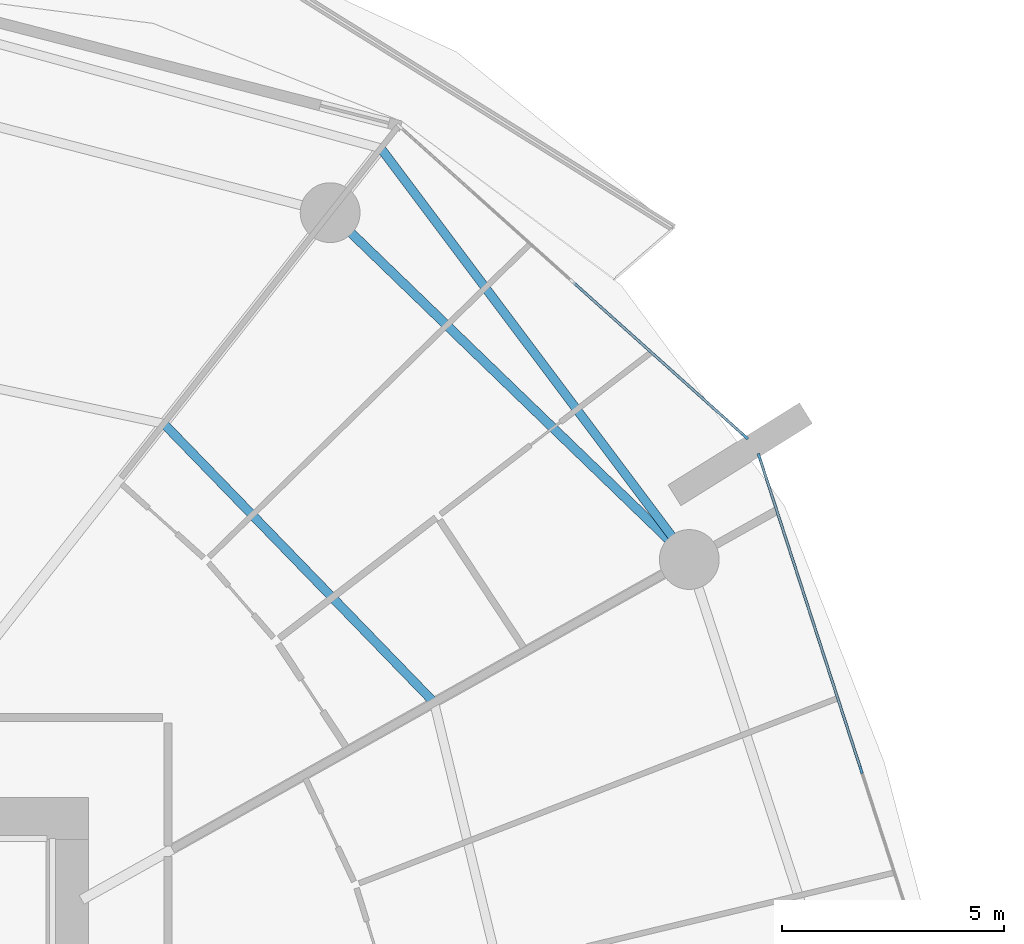
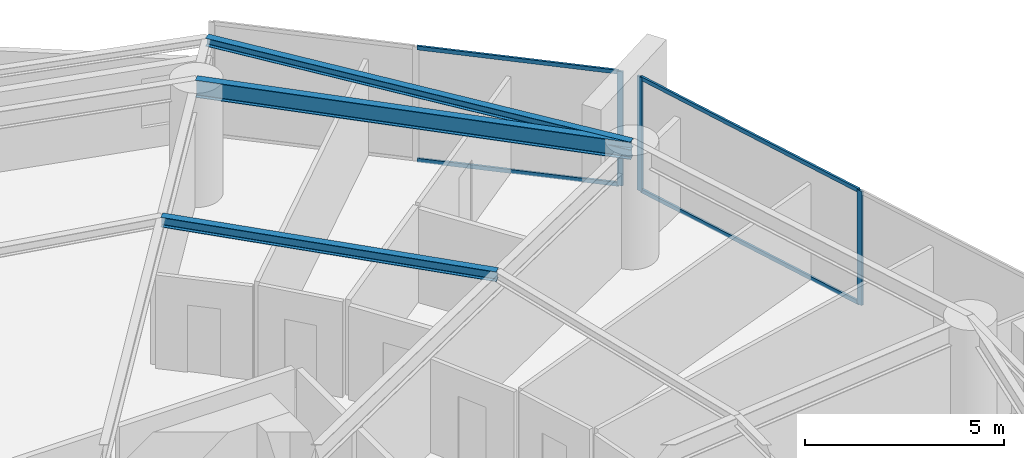
# One storey, part 15 of 32: 7 members, 3 beams, 2 elements without a shape of their own.
"""IFC4 building model written with IfcOpenShell, lengths in metres."""

import ifcopenshell
import ifcopenshell.guid

model = None  # the IFC model being written
_history = None  # IfcOwnerHistory: only IFC2X3 demands one
_inside = {}  # id of a spatial element -> (the spatial element, [elements in it])
_under = {}  # id of a project, library or spatial element -> (it, [spatial elements below it])
_declared = {}  # id of a project -> (the project, [libraries it declares])
_typed = {}  # id of a type object -> (the type object, [elements of that type])
_made_of = {}  # id of a material, layer set ... -> (it, [elements and type objects made of it])


def new_model(schema):
    """Start an empty IFC model of exactly this schema.

    Asked for "IFC4X3", IfcOpenShell would pick the latest addendum, in which some entities
    have other attributes; the version numbers below select the first issue.
    IFC2X3 requires an IfcOwnerHistory on every rooted entity: one is made here for all.
    """
    global model, _history
    if schema == "IFC4X3":
        model = ifcopenshell.file(schema_version=(4, 3, 0, 0))
    else:
        model = ifcopenshell.file(schema=schema)
    _inside.clear()
    _under.clear()
    _declared.clear()
    _typed.clear()
    _made_of.clear()
    _history = None
    if model.schema == "IFC2X3":
        org = make("IfcOrganization", Name="unknown")
        user = make(
            "IfcPersonAndOrganization",
            ThePerson=make("IfcPerson", FamilyName="unknown"),
            TheOrganization=org,
        )
        app = make(
            "IfcApplication",
            ApplicationDeveloper=org,
            Version="unknown",
            ApplicationFullName="unknown",
            ApplicationIdentifier="unknown",
        )
        _history = make(
            "IfcOwnerHistory",
            OwningUser=user,
            OwningApplication=app,
            ChangeAction="ADDED",
            CreationDate=0,
        )
    return model


def make(cls, **values):
    """One entity of the class cls with the attributes given. An attribute that is None is left unset."""
    return model.create_entity(
        cls, **{name: value for name, value in values.items() if value is not None}
    )


def rooted(cls, **values):
    """An entity with a GlobalId (a new one), such as an element, a storey or a relation."""
    return make(cls, GlobalId=ifcopenshell.guid.new(), OwnerHistory=_history, **values)


def si_unit(unit_type, name, prefix=None):
    """IfcSIUnit, for example si_unit("LENGTHUNIT", "METRE", prefix="MILLI")."""
    return make("IfcSIUnit", UnitType=unit_type, Prefix=prefix, Name=name)


def assignment(units):
    """IfcUnitAssignment: the units of a project."""
    return None if units is None else make("IfcUnitAssignment", Units=units)


def point(xyz):
    """IfcCartesianPoint."""
    return None if xyz is None else make("IfcCartesianPoint", Coordinates=xyz)


def direction(xyz):
    """IfcDirection."""
    return None if xyz is None else make("IfcDirection", DirectionRatios=xyz)


def frame(location, z_axis=None, x_axis=None):
    """IfcAxis2Placement3D, a coordinate frame: its origin and axes. An axis left out is left unset."""
    return make(
        "IfcAxis2Placement3D",
        Location=point(location),
        Axis=direction(z_axis),
        RefDirection=direction(x_axis),
    )


def frame_2d(location, x_axis=None):
    """IfcAxis2Placement2D, a coordinate frame in the plane: its origin and x axis."""
    return make(
        "IfcAxis2Placement2D", Location=point(location), RefDirection=direction(x_axis)
    )


def origin():
    """The frame at (0, 0, 0) with its axes left unset."""
    return frame((0.0, 0.0, 0.0))


def origin_2d():
    """The frame at (0, 0) in the plane with its x axis left unset."""
    return frame_2d((0.0, 0.0))


def place(relative_to, where):
    """IfcLocalPlacement: puts the frame where relative to a parent placement (None: the world)."""
    return make(
        "IfcLocalPlacement", PlacementRelTo=relative_to, RelativePlacement=where
    )


def context(
    kind, dimensions, precision=None, world=None, true_north=None, identifier=None
):
    """IfcGeometricRepresentationContext, for example the 3D "Model" context."""
    return make(
        "IfcGeometricRepresentationContext",
        ContextIdentifier=identifier,
        ContextType=kind,
        CoordinateSpaceDimension=dimensions,
        Precision=precision,
        WorldCoordinateSystem=world,
        TrueNorth=true_north,
    )


def subcontext(parent, identifier, kind, view, scale=None):
    """IfcGeometricRepresentationSubContext, for example "Body" below "Model"."""
    return make(
        "IfcGeometricRepresentationSubContext",
        ContextIdentifier=identifier,
        ContextType=kind,
        ParentContext=parent,
        TargetScale=scale,
        TargetView=view,
    )


def project(units=None, contexts=None):
    """IfcProject with its units and contexts."""
    return rooted(
        "IfcProject",
        Name="project",
        RepresentationContexts=contexts,
        UnitsInContext=assignment(units),
    )


def spatial(cls, under=None, at=None, **own):
    """A site, building, storey or space (cls), placed at a placement, below another one or the project."""
    s = rooted(cls, ObjectPlacement=at, **own)
    if under is not None:
        _under.setdefault(under.id(), (under, []))[1].append(s)
    return s


def profile(cls, at=None, kind="AREA", **sizes):
    """A parametric profile (cls). Its sizes go by their IFC names, for example OverallWidth=200.0."""
    return make(cls, ProfileType=kind, Position=at, **sizes)


def rectangle(**sizes):
    """IfcRectangleProfileDef."""
    return profile("IfcRectangleProfileDef", **sizes)


def i_section(**sizes):
    """IfcIShapeProfileDef."""
    return profile("IfcIShapeProfileDef", **sizes)


def extrude(swept, where, along, depth):
    """IfcExtrudedAreaSolid: the profile swept, set in the frame where, extruded along a direction by depth."""
    return make(
        "IfcExtrudedAreaSolid",
        SweptArea=swept,
        Position=where,
        ExtrudedDirection=direction(along),
        Depth=depth,
    )


def shape(context_of_items, identifier, shape_type, items):
    """IfcShapeRepresentation: the items that make up one representation, for example the "Body"."""
    return make(
        "IfcShapeRepresentation",
        ContextOfItems=context_of_items,
        RepresentationIdentifier=identifier,
        RepresentationType=shape_type,
        Items=items,
    )


def material(Name=None, Category=None):
    """IfcMaterial."""
    return make("IfcMaterial", Name=Name, Category=Category)


def layer(
    of_material, thickness, ventilated=None, Name=None, Category=None, Priority=None
):
    """IfcMaterialLayer: one layer of a wall or slab, of a material (None: an air gap)."""
    return make(
        "IfcMaterialLayer",
        Material=of_material,
        LayerThickness=thickness,
        IsVentilated=ventilated,
        Name=Name,
        Category=Category,
        Priority=Priority,
    )


def layer_set(layers, Name=None):
    """IfcMaterialLayerSet."""
    return make("IfcMaterialLayerSet", MaterialLayers=layers, LayerSetName=Name)


def material_profile(
    of_material, cross_section, Name=None, Category=None, Priority=None
):
    """IfcMaterialProfile: a cross section and its material."""
    return make(
        "IfcMaterialProfile",
        Name=Name,
        Material=of_material,
        Profile=cross_section,
        Priority=Priority,
        Category=Category,
    )


def profile_set(profiles, Name=None, composite=None):
    """IfcMaterialProfileSet."""
    return make(
        "IfcMaterialProfileSet",
        Name=Name,
        MaterialProfiles=profiles,
        CompositeProfile=composite,
    )


def made_of(thing, what):
    """Note that an element or type object is made of a material, layer set ...; save() writes the relation."""
    if what is not None:
        _made_of.setdefault(what.id(), (what, []))[1].append(thing)
    return thing


def type_object(cls, material=None, **own):
    """A type object (cls), such as IfcWallType, which elements share."""
    return made_of(rooted(cls, **own), material)


def element(
    cls,
    number,
    at=None,
    inside=None,
    cuts=None,
    type_object=None,
    material=None,
    context=None,
    identifier="Body",
    shape_type=None,
    held_by="IfcProductDefinitionShape",
    body=None,
    shapes=None,
    **own,
):
    """One element of the class cls, such as IfcWall. Its Tag is "e" and its number.

    at: its placement. inside: the storey or other place that contains it. cuts: it is an
    opening in that element (IfcRelVoidsElement). A single representation is given by context,
    identifier, shape_type and body (its items); several are given by shapes. held_by: the class
    of the entity that holds the representations. save() writes the other relations.
    """
    e = rooted(cls, Tag="e%d" % number, ObjectPlacement=at, **own)
    if body is not None:
        shapes = [shape(context, identifier, shape_type, body)]
    if shapes is not None:
        e.Representation = make(held_by, Representations=shapes)
    if inside is not None:
        _inside.setdefault(inside.id(), (inside, []))[1].append(e)
    if cuts is not None:
        rooted(
            "IfcRelVoidsElement", RelatingBuildingElement=cuts, RelatedOpeningElement=e
        )
    if type_object is not None:
        _typed.setdefault(type_object.id(), (type_object, []))[1].append(e)
    return made_of(e, material)


def aggregate(whole, parts):
    """IfcRelAggregates: a whole, such as a stair, and the parts it consists of."""
    return rooted("IfcRelAggregates", RelatingObject=whole, RelatedObjects=parts)


def save(model, path):
    """Write the relations noted so far, then the file.

    IfcRelAggregates (storeys below a building ...), IfcRelContainedInSpatialStructure (elements
    in a storey), IfcRelDefinesByType, IfcRelAssociatesMaterial and IfcRelDeclares: one each for
    every whole, place, type object, material and project.
    """
    for whole, parts in _under.values():
        aggregate(whole, parts)
    for where, things in _inside.values():
        rooted(
            "IfcRelContainedInSpatialStructure",
            RelatedElements=things,
            RelatingStructure=where,
        )
    for kind, things in _typed.values():
        rooted("IfcRelDefinesByType", RelatedObjects=things, RelatingType=kind)
    for what, things in _made_of.values():
        rooted("IfcRelAssociatesMaterial", RelatedObjects=things, RelatingMaterial=what)
    for by, libraries in _declared.values():
        rooted("IfcRelDeclares", RelatingContext=by, RelatedDefinitions=libraries)
    model.write(path)


model = new_model("IFC4")

# Units and contexts
model_context = context("Model", 3, precision=1e-05, world=origin(), true_north=direction((0.0, 1.0)))
body_context = subcontext(model_context, "Body", "Model", "MODEL_VIEW")
ifc_project = project(units=[si_unit("LENGTHUNIT", "METRE"), si_unit("AREAUNIT", "SQUARE_METRE"), si_unit("VOLUMEUNIT", "CUBIC_METRE"), si_unit("PLANEANGLEUNIT", "RADIAN"), si_unit("MASSUNIT", "GRAM", prefix="KILO")], contexts=[model_context])

# Site, building, storey
site_placement = place(None, origin())
site = spatial("IfcSite", under=ifc_project, at=site_placement, CompositionType="ELEMENT")
building_placement = place(site_placement, origin())
building = spatial("IfcBuilding", under=site, at=building_placement, Name="Kazma Halo Residences", CompositionType="ELEMENT")
storey_placement = place(building_placement, frame((0.0, 0.0, 63.89990234375)))
storey = spatial("IfcBuildingStorey", under=building, at=storey_placement, Name="L15", CompositionType="ELEMENT", Elevation=63.89990234375)

# Beams
ifc_material_1 = material(Name="Steel S355", Category="steel")
ifc_material_profile_1 = material_profile(ifc_material_1, i_section(OverallWidth=0.201904296875, OverallDepth=0.2470703125, WebThickness=0.00732421875, FlangeThickness=0.010986328125, FilletRadius=0.011962890625, at=origin_2d()), Name="W250x49.1")
ifc_profile_set_1 = profile_set([ifc_material_profile_1], Name="Steel S355")
beam_type_1 = type_object("IfcBeamType", Name="BM-BAL-CANT", PredefinedType="BEAM", material=ifc_profile_set_1)
beam_1_placement = place(storey_placement, frame((73.56494140625, 56.317138671875, 3.376708984375), z_axis=(-0.600026935007, 0.799979798037, 0.0), x_axis=(-0.799979798037, -0.600026935007, 0.0)))
element("IfcBeam", 1, at=beam_1_placement, inside=storey, type_object=beam_type_1, Name="L15 wave-balcony lead tie beam 01", PredefinedType="BEAM", context=body_context, shape_type="SweptSolid", body=[
    extrude(i_section(OverallWidth=0.201904296875, OverallDepth=0.2470703125, WebThickness=0.00732421875, FlangeThickness=0.010986328125, FilletRadius=0.011962890625, at=origin_2d()), origin(), (0.0, 0.0, 1.0), 11.601806640625),
])
ifc_material_profile_2 = material_profile(ifc_material_1, i_section(OverallWidth=0.202880859375, OverallDepth=0.302978515625, WebThickness=0.007568359375, FlangeThickness=0.01318359375, FilletRadius=0.013916015625, at=origin_2d()), Name="W310x60")
ifc_profile_set_2 = profile_set([ifc_material_profile_2], Name="Steel S355")
beam_type_2 = type_object("IfcBeamType", Name="BM-SEC-W310A", PredefinedType="JOIST", material=ifc_profile_set_2)
beam_2_placement = place(storey_placement, frame((67.8046875, 53.09130859375, 3.3486328125), z_axis=(-0.696130608567, 0.717915159205, 0.0), x_axis=(-0.717915159205, -0.696130608567, 0.0)))
element("IfcBeam", 2, at=beam_2_placement, inside=storey, type_object=beam_type_2, Name="L15 circumferential floor joist 01", PredefinedType="JOIST", context=body_context, shape_type="SweptSolid", body=[
    extrude(i_section(OverallWidth=0.202880859375, OverallDepth=0.302978515625, WebThickness=0.007568359375, FlangeThickness=0.01318359375, FilletRadius=0.013916015625, at=origin_2d()), origin(), (0.0, 0.0, 1.0), 8.763916015625),
])
ifc_material_profile_3 = material_profile(ifc_material_1, i_section(OverallWidth=0.208984375, OverallDepth=0.532958984375, WebThickness=0.01025390625, FlangeThickness=0.015625, FilletRadius=0.01611328125, at=origin_2d()), Name="W530x92")
ifc_profile_set_3 = profile_set([ifc_material_profile_3], Name="Steel S355")
beam_type_3 = type_object("IfcBeamType", Name="BM-SPN-W530", PredefinedType="BEAM", material=ifc_profile_set_3)
beam_3_placement = place(storey_placement, frame((73.56494140625, 56.317138671875, 3.233642578125), z_axis=(-0.719336506967, 0.694661780829, 0.0), x_axis=(-0.694661780829, -0.719336506967, 0.0)))
element("IfcBeam", 3, at=beam_3_placement, inside=storey, type_object=beam_type_3, Name="L15 perimeter ring beam 01", PredefinedType="BEAM", context=body_context, shape_type="SweptSolid", body=[
    extrude(i_section(OverallWidth=0.208984375, OverallDepth=0.532958984375, WebThickness=0.01025390625, FlangeThickness=0.015625, FilletRadius=0.01611328125, at=origin_2d()), origin(), (0.0, 0.0, 1.0), 11.269775390625),
])

# Curtain wall, member
ifc_material_2 = material(Name="Aluminium AW-6063 T6 and Triple-Silver Low-E Glass", Category="aluminium")
ifc_layer = layer(ifc_material_2, 0.159912109375)
ifc_layer_set = layer_set([ifc_layer], Name="Aluminium AW-6063 T6 and Triple-Silver Low-E Glass")
curtain_wall_type = type_object("IfcCurtainWallType", Name="CW-SYS-2", PredefinedType="NOTDEFINED", material=ifc_layer_set)
curtain_wall_1_placement = place(storey_placement, origin())
curtain_wall_1 = element("IfcCurtainWall", 4, at=curtain_wall_1_placement, inside=storey, type_object=curtain_wall_type, Name="L15 unitised curtain wall B01", PredefinedType="NOTDEFINED")
ifc_material_3 = material(Name="Aluminium AW-6063 T6", Category="aluminium")
ifc_material_profile_4 = material_profile(ifc_material_3, rectangle(XDim=0.06005859375, YDim=0.159912109375, at=origin_2d()), Name="CWM-60x160")
ifc_profile_set_4 = profile_set([ifc_material_profile_4], Name="Aluminium AW-6063 T6")
member_type_1 = type_object("IfcMemberType", Name="CW-SYS-2-MUL", PredefinedType="MULLION", material=ifc_profile_set_4)
member_1_placement = place(storey_placement, frame((74.82666015625, 59.091796875, 0.0), z_axis=(0.0, 0.0, 1.0), x_axis=(-0.667821453854, -0.744321506993, 0.0)))
member_1 = element("IfcMember", 5, at=member_1_placement, type_object=member_type_1, Name="CWS-2 mullion 1", PredefinedType="MULLION", context=body_context, shape_type="SweptSolid", body=[
    extrude(rectangle(XDim=0.06005859375, YDim=0.159912109375, at=origin_2d()), origin(), (0.0, 0.0, 1.0), 3.5),
])

# Curtain wall, members
curtain_wall_2_placement = place(storey_placement, origin())
curtain_wall_2 = element("IfcCurtainWall", 6, at=curtain_wall_2_placement, inside=storey, type_object=curtain_wall_type, Name="L15 unitised curtain wall B16", PredefinedType="NOTDEFINED")
member_2_placement = place(storey_placement, frame((77.44189453125, 51.56640625, 0.0), z_axis=(0.0, 0.0, 1.0), x_axis=(-0.95105652404, -0.309016970539, 0.0)))
member_2 = element("IfcMember", 7, at=member_2_placement, type_object=member_type_1, Name="CWS-2 mullion 2", PredefinedType="MULLION", context=body_context, shape_type="SweptSolid", body=[
    extrude(rectangle(XDim=0.06005859375, YDim=0.159912109375, at=origin_2d()), origin(), (0.0, 0.0, 1.0), 3.5),
])
member_3_placement = place(storey_placement, frame((75.145751953125, 58.63330078125, 0.0), z_axis=(0.0, 0.0, 1.0), x_axis=(-0.95105652404, -0.309016970539, 0.0)))
member_3 = element("IfcMember", 8, at=member_3_placement, type_object=member_type_1, Name="CWS-2 mullion 3", PredefinedType="MULLION", context=body_context, shape_type="SweptSolid", body=[
    extrude(rectangle(XDim=0.06005859375, YDim=0.159912109375, at=origin_2d()), origin(), (0.0, 0.0, 1.0), 3.5),
])

# Member
ifc_material_profile_5 = material_profile(ifc_material_3, rectangle(XDim=0.06005859375, YDim=0.1201171875, at=origin_2d()), Name="CWT-60x120")
ifc_profile_set_5 = profile_set([ifc_material_profile_5], Name="Aluminium AW-6063 T6")
member_type_2 = type_object("IfcMemberType", Name="CW-SYS-2-TRN", PredefinedType="USERDEFINED", material=ifc_profile_set_5)
member_4_placement = place(storey_placement, frame((74.80419921875, 59.11181640625, 0.030029296875), z_axis=(-0.744329408538, 0.66781264707, 0.0), x_axis=(-0.66781264707, -0.744329408538, 0.0)))
member_4 = element("IfcMember", 9, at=member_4_placement, type_object=member_type_2, Name="CWS-2 transom 1.1", ObjectType="TRANSOM", PredefinedType="USERDEFINED", context=body_context, shape_type="SweptSolid", body=[
    extrude(rectangle(XDim=0.06005859375, YDim=0.1201171875, at=origin_2d()), origin(), (0.0, 0.0, 1.0), 5.178466796875),
])

member_5_placement = place(storey_placement, frame((74.80419921875, 59.11181640625, 3.47021484375), z_axis=(-0.744329408538, 0.66781264707, 0.0), x_axis=(-0.66781264707, -0.744329408538, 0.0)))
member_5 = element("IfcMember", 10, at=member_5_placement, type_object=member_type_2, Name="CWS-2 transom 1.2", ObjectType="TRANSOM", PredefinedType="USERDEFINED", context=body_context, shape_type="SweptSolid", body=[
    extrude(rectangle(XDim=0.06005859375, YDim=0.1201171875, at=origin_2d()), origin(), (0.0, 0.0, 1.0), 5.178466796875),
])

aggregate(curtain_wall_1, [member_1, member_4, member_5])

member_6_placement = place(storey_placement, frame((77.4326171875, 51.5947265625, 0.030029296875), z_axis=(-0.309004433966, 0.951060597328, 0.0), x_axis=(-0.951060597328, -0.309004433966, 0.0)))
member_6 = element("IfcMember", 11, at=member_6_placement, type_object=member_type_2, Name="CWS-2 transom 2.1", ObjectType="TRANSOM", PredefinedType="USERDEFINED", context=body_context, shape_type="SweptSolid", body=[
    extrude(rectangle(XDim=0.06005859375, YDim=0.1201171875, at=origin_2d()), origin(), (0.0, 0.0, 1.0), 7.370849609375),
])

member_7_placement = place(storey_placement, frame((77.4326171875, 51.5947265625, 3.47021484375), z_axis=(-0.309004433966, 0.951060597328, 0.0), x_axis=(-0.951060597328, -0.309004433966, 0.0)))
member_7 = element("IfcMember", 12, at=member_7_placement, type_object=member_type_2, Name="CWS-2 transom 2.2", ObjectType="TRANSOM", PredefinedType="USERDEFINED", context=body_context, shape_type="SweptSolid", body=[
    extrude(rectangle(XDim=0.06005859375, YDim=0.1201171875, at=origin_2d()), origin(), (0.0, 0.0, 1.0), 7.370849609375),
])

aggregate(curtain_wall_2, [member_2, member_3, member_6, member_7])

save(model, "model.ifc")
